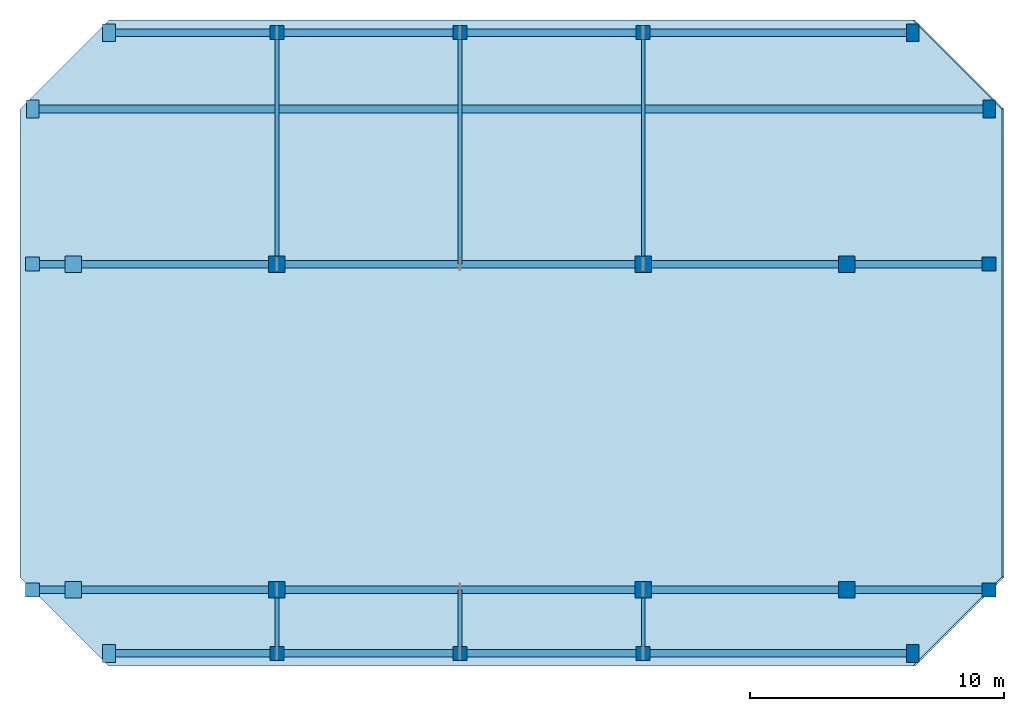
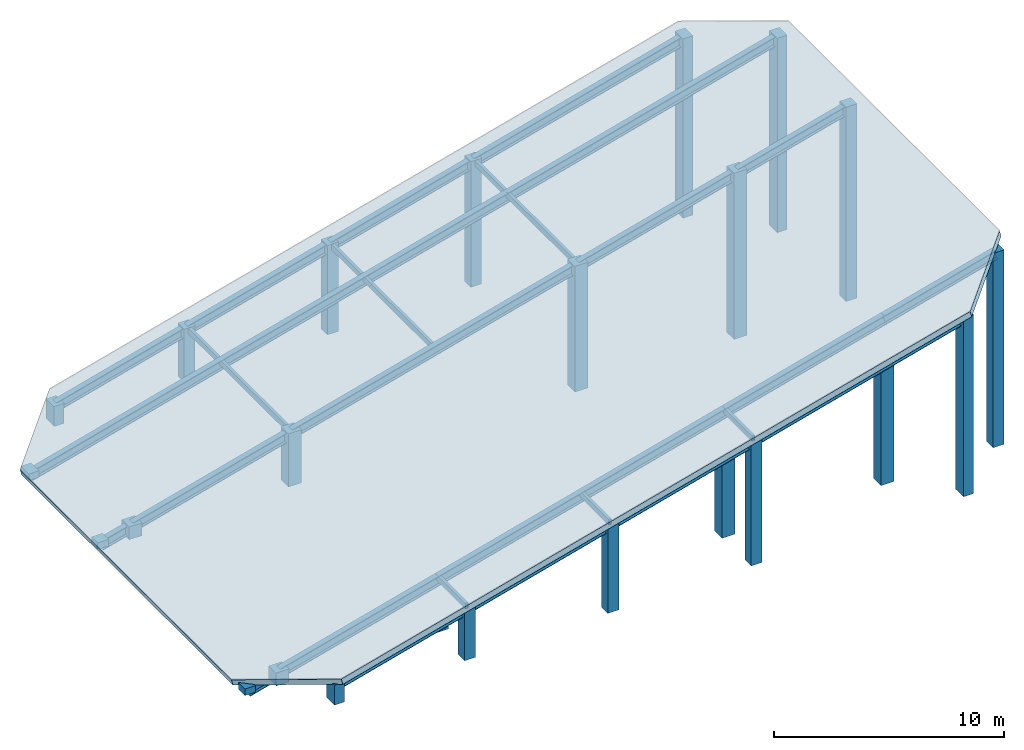
# One storey, part 1 of 3: 24 columns, 19 beams, 6 members, 1 slab.
"""IFC4 building model written with IfcOpenShell, lengths in metres."""

from ifc_helpers import new_model, si_unit, direction, frame, origin, origin_2d, place, context, subcontext, project, spatial, polyline, rectangle, hollow_rectangle, i_section, outline, extrude, material, layer, layer_set, material_profile, profile_set, type_object, element, save


model = new_model("IFC4")

# Units and contexts
model_context = context("Model", 3, precision=1e-05, world=origin(), true_north=direction((0.0, 1.0)))
body_context = subcontext(model_context, "Body", "Model", "MODEL_VIEW")
ifc_project = project(units=[si_unit("LENGTHUNIT", "METRE"), si_unit("AREAUNIT", "SQUARE_METRE"), si_unit("VOLUMEUNIT", "CUBIC_METRE"), si_unit("PLANEANGLEUNIT", "RADIAN"), si_unit("MASSUNIT", "GRAM", prefix="KILO")], contexts=[model_context])

# Site, building, storey
site_placement = place(None, origin())
site = spatial("IfcSite", under=ifc_project, at=site_placement, CompositionType="ELEMENT")
building_placement = place(site_placement, origin())
building = spatial("IfcBuilding", under=site, at=building_placement, Name="Kranthara Brick Stack", CompositionType="ELEMENT")
storey_placement = place(building_placement, frame((0.0, 0.0, 313.199951171875)))
storey = spatial("IfcBuildingStorey", under=building, at=storey_placement, Name="RF", CompositionType="ELEMENT", Elevation=313.199951171875)

# Columns
ifc_material_1 = material(Name="Concrete C45/55", Category="concrete")
ifc_material_profile_1 = material_profile(ifc_material_1, rectangle(XDim=0.5, YDim=0.699951171875, at=origin_2d()), Name="RC 500x700")
ifc_profile_set_1 = profile_set([ifc_material_profile_1], Name="Concrete C45/55")
column_type_1 = type_object("IfcColumnType", Name="COL-CHAM-500x700", PredefinedType="COLUMN", material=ifc_profile_set_1)
for number, where, z_axis, x_axis, name in (
    (1, (14.199951171875, 18.300048828125, 0.0), (0.0, 0.0, 1.0), (1.0, 0.0, 0.0), "RF Crown Column 09"),
    (2, (14.199951171875, 42.699951171875, 0.0), (0.0, 0.0, 1.0), (1.0, 0.0, 0.0), "RF Crown Column 10"),
):
    element("IfcColumn", number, at=place(storey_placement, frame(where, z_axis=z_axis, x_axis=x_axis)), inside=storey, type_object=column_type_1, Name=name, PredefinedType="COLUMN", context=body_context, shape_type="SweptSolid", body=[
        extrude(rectangle(XDim=0.5, YDim=0.699951171875, at=origin_2d()), origin(), (0.0, 0.0, 1.0), 1.056640625),
    ])
for number, where, z_axis, x_axis, name in (
    (3, (45.800048828125, 18.300048828125, 0.0), (0.0, 0.0, 1.0), (1.0, 0.0, 0.0), "RF Crown Column 17"),
    (4, (45.800048828125, 42.699951171875, 0.0), (0.0, 0.0, 1.0), (1.0, 0.0, 0.0), "RF Crown Column 18"),
):
    element("IfcColumn", number, at=place(storey_placement, frame(where, z_axis=z_axis, x_axis=x_axis)), inside=storey, type_object=column_type_1, Name=name, PredefinedType="COLUMN", context=body_context, shape_type="SweptSolid", body=[
        extrude(rectangle(XDim=0.5, YDim=0.699951171875, at=origin_2d()), origin(), (0.0, 0.0, 1.0), 9.523681640625),
    ])
column_1_placement = place(storey_placement, frame((11.199951171875, 39.699951171875, 0.0), z_axis=(0.0, 0.0, 1.0), x_axis=(1.0, 0.0, 0.0)))
element("IfcColumn", 5, at=column_1_placement, inside=storey, type_object=column_type_1, Name="RF Crown Column 23", PredefinedType="COLUMN", context=body_context, shape_type="SweptSolid", body=[
    extrude(rectangle(XDim=0.5, YDim=0.699951171875, at=origin_2d()), origin(), (0.0, 0.0, 1.0), 0.35009765625),
])
column_2_placement = place(storey_placement, frame((48.800048828125, 39.699951171875, 0.0), z_axis=(0.0, 0.0, 1.0), x_axis=(1.0, 0.0, 0.0)))
element("IfcColumn", 6, at=column_2_placement, inside=storey, type_object=column_type_1, Name="RF Crown Column 24", PredefinedType="COLUMN", context=body_context, shape_type="SweptSolid", body=[
    extrude(rectangle(XDim=0.5, YDim=0.699951171875, at=origin_2d()), origin(), (0.0, 0.0, 1.0), 10.32763671875),
])
ifc_material_2 = material(Name="Concrete C50/60", Category="concrete")
ifc_material_profile_2 = material_profile(ifc_material_2, rectangle(XDim=0.64990234375, YDim=0.64990234375, at=origin_2d()), Name="RC 650x650")
ifc_profile_set_2 = profile_set([ifc_material_profile_2], Name="Concrete C50/60")
column_type_2 = type_object("IfcColumnType", Name="COL-CORE-650", PredefinedType="COLUMN", material=ifc_profile_set_2)
column_3_placement = place(storey_placement, frame((12.800048828125, 20.800048828125, 0.0), z_axis=(0.0, 0.0, 1.0), x_axis=(1.0, 0.0, 0.0)))
element("IfcColumn", 7, at=column_3_placement, inside=storey, type_object=column_type_2, Name="RF Crown Column 01", PredefinedType="COLUMN", context=body_context, shape_type="SweptSolid", body=[
    extrude(rectangle(XDim=0.64990234375, YDim=0.64990234375, at=origin_2d()), origin(), (0.0, 0.0, 1.0), 0.681396484375),
])
column_4_placement = place(storey_placement, frame((20.800048828125, 20.800048828125, 0.0), z_axis=(0.0, 0.0, 1.0), x_axis=(1.0, 0.0, 0.0)))
element("IfcColumn", 8, at=column_4_placement, inside=storey, type_object=column_type_2, Name="RF Crown Column 02", PredefinedType="COLUMN", context=body_context, shape_type="SweptSolid", body=[
    extrude(rectangle(XDim=0.64990234375, YDim=0.64990234375, at=origin_2d()), origin(), (0.0, 0.0, 1.0), 2.824951171875),
])
column_5_placement = place(storey_placement, frame((12.800048828125, 33.60009765625, 0.0), z_axis=(0.0, 0.0, 1.0), x_axis=(1.0, 0.0, 0.0)))
element("IfcColumn", 9, at=column_5_placement, inside=storey, type_object=column_type_2, Name="RF Crown Column 03", PredefinedType="COLUMN", context=body_context, shape_type="SweptSolid", body=[
    extrude(rectangle(XDim=0.64990234375, YDim=0.64990234375, at=origin_2d()), origin(), (0.0, 0.0, 1.0), 0.681396484375),
])
column_6_placement = place(storey_placement, frame((20.800048828125, 33.60009765625, 0.0), z_axis=(0.0, 0.0, 1.0), x_axis=(1.0, 0.0, 0.0)))
element("IfcColumn", 10, at=column_6_placement, inside=storey, type_object=column_type_2, Name="RF Crown Column 04", PredefinedType="COLUMN", context=body_context, shape_type="SweptSolid", body=[
    extrude(rectangle(XDim=0.64990234375, YDim=0.64990234375, at=origin_2d()), origin(), (0.0, 0.0, 1.0), 2.824951171875),
])
column_7_placement = place(storey_placement, frame((35.199951171875, 20.800048828125, 0.0), z_axis=(0.0, 0.0, 1.0), x_axis=(1.0, 0.0, 0.0)))
element("IfcColumn", 11, at=column_7_placement, inside=storey, type_object=column_type_2, Name="RF Crown Column 05", PredefinedType="COLUMN", context=body_context, shape_type="SweptSolid", body=[
    extrude(rectangle(XDim=0.64990234375, YDim=0.64990234375, at=origin_2d()), origin(), (0.0, 0.0, 1.0), 6.683349609375),
])
column_8_placement = place(storey_placement, frame((43.199951171875, 20.800048828125, 0.0), z_axis=(0.0, 0.0, 1.0), x_axis=(1.0, 0.0, 0.0)))
element("IfcColumn", 12, at=column_8_placement, inside=storey, type_object=column_type_2, Name="RF Crown Column 06", PredefinedType="COLUMN", context=body_context, shape_type="SweptSolid", body=[
    extrude(rectangle(XDim=0.64990234375, YDim=0.64990234375, at=origin_2d()), origin(), (0.0, 0.0, 1.0), 8.8271484375),
])
column_9_placement = place(storey_placement, frame((35.199951171875, 33.60009765625, 0.0), z_axis=(0.0, 0.0, 1.0), x_axis=(1.0, 0.0, 0.0)))
element("IfcColumn", 13, at=column_9_placement, inside=storey, type_object=column_type_2, Name="RF Crown Column 07", PredefinedType="COLUMN", context=body_context, shape_type="SweptSolid", body=[
    extrude(rectangle(XDim=0.64990234375, YDim=0.64990234375, at=origin_2d()), origin(), (0.0, 0.0, 1.0), 6.683349609375),
])
column_10_placement = place(storey_placement, frame((43.199951171875, 33.60009765625, 0.0), z_axis=(0.0, 0.0, 1.0), x_axis=(1.0, 0.0, 0.0)))
element("IfcColumn", 14, at=column_10_placement, inside=storey, type_object=column_type_2, Name="RF Crown Column 08", PredefinedType="COLUMN", context=body_context, shape_type="SweptSolid", body=[
    extrude(rectangle(XDim=0.64990234375, YDim=0.64990234375, at=origin_2d()), origin(), (0.0, 0.0, 1.0), 8.8271484375),
])
ifc_material_3 = material(Name="Concrete C45/55", Category="concrete")
ifc_material_profile_3 = material_profile(ifc_material_3, rectangle(XDim=0.550048828125, YDim=0.550048828125, at=origin_2d()), Name="RC 550x550")
ifc_profile_set_3 = profile_set([ifc_material_profile_3], Name="Concrete C45/55")
column_type_3 = type_object("IfcColumnType", Name="COL-PER-550", PredefinedType="COLUMN", material=ifc_profile_set_3)
for number, where, z_axis, x_axis, name in (
    (15, (20.800048828125, 18.300048828125, 0.0), (0.0, 0.0, 1.0), (1.0, 0.0, 0.0), "RF Crown Column 11"),
    (16, (20.800048828125, 42.699951171875, 0.0), (0.0, 0.0, 1.0), (1.0, 0.0, 0.0), "RF Crown Column 12"),
):
    element("IfcColumn", number, at=place(storey_placement, frame(where, z_axis=z_axis, x_axis=x_axis)), inside=storey, type_object=column_type_3, Name=name, PredefinedType="COLUMN", context=body_context, shape_type="SweptSolid", body=[
        extrude(rectangle(XDim=0.550048828125, YDim=0.550048828125, at=origin_2d()), origin(), (0.0, 0.0, 1.0), 2.824951171875),
    ])
for number, where, z_axis, x_axis, name in (
    (17, (28.0, 18.300048828125, 0.0), (0.0, 0.0, 1.0), (1.0, 0.0, 0.0), "RF Crown Column 13"),
    (18, (28.0, 42.699951171875, 0.0), (0.0, 0.0, 1.0), (1.0, 0.0, 0.0), "RF Crown Column 14"),
):
    element("IfcColumn", number, at=place(storey_placement, frame(where, z_axis=z_axis, x_axis=x_axis)), inside=storey, type_object=column_type_3, Name=name, PredefinedType="COLUMN", context=body_context, shape_type="SweptSolid", body=[
        extrude(rectangle(XDim=0.550048828125, YDim=0.550048828125, at=origin_2d()), origin(), (0.0, 0.0, 1.0), 4.754150390625),
    ])
for number, where, z_axis, x_axis, name in (
    (19, (35.199951171875, 18.300048828125, 0.0), (0.0, 0.0, 1.0), (1.0, 0.0, 0.0), "RF Crown Column 15"),
    (20, (35.199951171875, 42.699951171875, 0.0), (0.0, 0.0, 1.0), (1.0, 0.0, 0.0), "RF Crown Column 16"),
):
    element("IfcColumn", number, at=place(storey_placement, frame(where, z_axis=z_axis, x_axis=x_axis)), inside=storey, type_object=column_type_3, Name=name, PredefinedType="COLUMN", context=body_context, shape_type="SweptSolid", body=[
        extrude(rectangle(XDim=0.550048828125, YDim=0.550048828125, at=origin_2d()), origin(), (0.0, 0.0, 1.0), 6.683349609375),
    ])
column_11_placement = place(storey_placement, frame((11.199951171875, 20.800048828125, 0.0), z_axis=(0.0, 0.0, 1.0), x_axis=(1.0, 0.0, 0.0)))
element("IfcColumn", 21, at=column_11_placement, inside=storey, type_object=column_type_3, Name="RF Crown Column 19", PredefinedType="COLUMN", context=body_context, shape_type="SweptSolid", body=[
    extrude(rectangle(XDim=0.550048828125, YDim=0.550048828125, at=origin_2d()), origin(), (0.0, 0.0, 1.0), 0.35009765625),
])
column_12_placement = place(storey_placement, frame((48.800048828125, 20.800048828125, 0.0), z_axis=(0.0, 0.0, 1.0), x_axis=(1.0, 0.0, 0.0)))
element("IfcColumn", 22, at=column_12_placement, inside=storey, type_object=column_type_3, Name="RF Crown Column 20", PredefinedType="COLUMN", context=body_context, shape_type="SweptSolid", body=[
    extrude(rectangle(XDim=0.550048828125, YDim=0.550048828125, at=origin_2d()), origin(), (0.0, 0.0, 1.0), 10.32763671875),
])
column_13_placement = place(storey_placement, frame((11.199951171875, 33.60009765625, 0.0), z_axis=(0.0, 0.0, 1.0), x_axis=(1.0, 0.0, 0.0)))
element("IfcColumn", 23, at=column_13_placement, inside=storey, type_object=column_type_3, Name="RF Crown Column 21", PredefinedType="COLUMN", context=body_context, shape_type="SweptSolid", body=[
    extrude(rectangle(XDim=0.550048828125, YDim=0.550048828125, at=origin_2d()), origin(), (0.0, 0.0, 1.0), 0.35009765625),
])
column_14_placement = place(storey_placement, frame((48.800048828125, 33.60009765625, 0.0), z_axis=(0.0, 0.0, 1.0), x_axis=(1.0, 0.0, 0.0)))
element("IfcColumn", 24, at=column_14_placement, inside=storey, type_object=column_type_3, Name="RF Crown Column 22", PredefinedType="COLUMN", context=body_context, shape_type="SweptSolid", body=[
    extrude(rectangle(XDim=0.550048828125, YDim=0.550048828125, at=origin_2d()), origin(), (0.0, 0.0, 1.0), 10.32763671875),
])

# Beams
ifc_material_4 = material(Name="Steel S355", Category="steel")
ifc_material_profile_4 = material_profile(ifc_material_4, i_section(OverallWidth=0.300048828125, OverallDepth=0.5, WebThickness=0.014404296875, FlangeThickness=0.028076171875, at=origin_2d()), Name="HEB 500")
ifc_profile_set_4 = profile_set([ifc_material_profile_4], Name="Steel S355")
beam_type = type_object("IfcBeamType", Name="BM-STL-HEB500", PredefinedType="BEAM", material=ifc_profile_set_4)
beam_1_placement = place(storey_placement, frame((14.199951171875, 18.300048828125, 0.806640625), z_axis=(0.965932422394, 0.0, 0.258794426848), x_axis=(0.0, 1.0, 0.0)))
element("IfcBeam", 25, at=beam_1_placement, inside=storey, type_object=beam_type, Name="RF Slanted Crown Roof Rafter 01", PredefinedType="BEAM", context=body_context, shape_type="SweptSolid", body=[
    extrude(i_section(OverallWidth=0.300048828125, OverallDepth=0.5, WebThickness=0.014404296875, FlangeThickness=0.028076171875, at=origin_2d()), origin(), (0.0, 0.0, 1.0), 6.832763671875),
])
for number, where, z_axis, x_axis, name in (
    (26, (20.800048828125, 18.300048828125, 2.574951171875), (0.965926560237, 0.0, 0.258816305957), (0.0, 1.0, 0.0), "RF Slanted Crown Roof Rafter 02"),
    (27, (28.0, 18.300048828125, 4.504150390625), (0.965926560237, 0.0, 0.258816305957), (0.0, 1.0, 0.0), "RF Slanted Crown Roof Rafter 03"),
):
    element("IfcBeam", number, at=place(storey_placement, frame(where, z_axis=z_axis, x_axis=x_axis)), inside=storey, type_object=beam_type, Name=name, PredefinedType="BEAM", context=body_context, shape_type="SweptSolid", body=[
        extrude(i_section(OverallWidth=0.300048828125, OverallDepth=0.5, WebThickness=0.014404296875, FlangeThickness=0.028076171875, at=origin_2d()), origin(), (0.0, 0.0, 1.0), 7.453857421875),
    ])
beam_2_placement = place(storey_placement, frame((35.199951171875, 18.300048828125, 6.433349609375), z_axis=(0.965924814244, 0.0, 0.258822822076), x_axis=(0.0, 1.0, 0.0)))
element("IfcBeam", 28, at=beam_2_placement, inside=storey, type_object=beam_type, Name="RF Slanted Crown Roof Rafter 04", PredefinedType="BEAM", context=body_context, shape_type="SweptSolid", body=[
    extrude(i_section(OverallWidth=0.300048828125, OverallDepth=0.5, WebThickness=0.014404296875, FlangeThickness=0.028076171875, at=origin_2d()), origin(), (0.0, 0.0, 1.0), 10.97412109375),
])
beam_3_placement = place(storey_placement, frame((11.199951171875, 20.800048828125, 0.002685546875), z_axis=(0.965930947833, 0.0, 0.258799930484), x_axis=(0.0, 1.0, 0.0)))
element("IfcBeam", 29, at=beam_3_placement, inside=storey, type_object=beam_type, Name="RF Slanted Crown Roof Rafter 05", PredefinedType="BEAM", context=body_context, shape_type="SweptSolid", body=[
    extrude(i_section(OverallWidth=0.300048828125, OverallDepth=0.5, WebThickness=0.014404296875, FlangeThickness=0.028076171875, at=origin_2d()), origin(), (0.0, 0.0, 1.0), 1.656494140625),
])
beam_4_placement = place(storey_placement, frame((12.800048828125, 20.800048828125, 0.431396484375), z_axis=(0.965926999034, 0.0, 0.25881466832), x_axis=(0.0, 1.0, 0.0)))
element("IfcBeam", 30, at=beam_4_placement, inside=storey, type_object=beam_type, Name="RF Slanted Crown Roof Rafter 06", PredefinedType="BEAM", context=body_context, shape_type="SweptSolid", body=[
    extrude(i_section(OverallWidth=0.300048828125, OverallDepth=0.5, WebThickness=0.014404296875, FlangeThickness=0.028076171875, at=origin_2d()), origin(), (0.0, 0.0, 1.0), 8.2822265625),
])
beam_5_placement = place(storey_placement, frame((20.800048828125, 20.800048828125, 2.574951171875), z_axis=(0.965926560237, 0.0, 0.258816305957), x_axis=(0.0, 1.0, 0.0)))
element("IfcBeam", 31, at=beam_5_placement, inside=storey, type_object=beam_type, Name="RF Slanted Crown Roof Rafter 07", PredefinedType="BEAM", context=body_context, shape_type="SweptSolid", body=[
    extrude(i_section(OverallWidth=0.300048828125, OverallDepth=0.5, WebThickness=0.014404296875, FlangeThickness=0.028076171875, at=origin_2d()), origin(), (0.0, 0.0, 1.0), 14.907958984375),
])
beam_6_placement = place(storey_placement, frame((35.199951171875, 20.800048828125, 6.433349609375), z_axis=(0.965919629376, 0.0, 0.25884217119), x_axis=(0.0, 1.0, 0.0)))
element("IfcBeam", 32, at=beam_6_placement, inside=storey, type_object=beam_type, Name="RF Slanted Crown Roof Rafter 08", PredefinedType="BEAM", context=body_context, shape_type="SweptSolid", body=[
    extrude(i_section(OverallWidth=0.300048828125, OverallDepth=0.5, WebThickness=0.014404296875, FlangeThickness=0.028076171875, at=origin_2d()), origin(), (0.0, 0.0, 1.0), 8.2822265625),
])
beam_7_placement = place(storey_placement, frame((43.199951171875, 20.800048828125, 8.5771484375), z_axis=(0.965928127331, 0.0, 0.258810457345), x_axis=(0.0, 1.0, 0.0)))
element("IfcBeam", 33, at=beam_7_placement, inside=storey, type_object=beam_type, Name="RF Slanted Crown Roof Rafter 09", PredefinedType="BEAM", context=body_context, shape_type="SweptSolid", body=[
    extrude(i_section(OverallWidth=0.300048828125, OverallDepth=0.5, WebThickness=0.014404296875, FlangeThickness=0.028076171875, at=origin_2d()), origin(), (0.0, 0.0, 1.0), 5.797607421875),
])
beam_8_placement = place(storey_placement, frame((11.199951171875, 33.60009765625, 0.002685546875), z_axis=(0.965930947833, 0.0, 0.258799930484), x_axis=(0.0, 1.0, 0.0)))
element("IfcBeam", 34, at=beam_8_placement, inside=storey, type_object=beam_type, Name="RF Slanted Crown Roof Rafter 10", PredefinedType="BEAM", context=body_context, shape_type="SweptSolid", body=[
    extrude(i_section(OverallWidth=0.300048828125, OverallDepth=0.5, WebThickness=0.014404296875, FlangeThickness=0.028076171875, at=origin_2d()), origin(), (0.0, 0.0, 1.0), 1.656494140625),
])
beam_9_placement = place(storey_placement, frame((12.800048828125, 33.60009765625, 0.431396484375), z_axis=(0.965926999034, 0.0, 0.25881466832), x_axis=(0.0, 1.0, 0.0)))
element("IfcBeam", 35, at=beam_9_placement, inside=storey, type_object=beam_type, Name="RF Slanted Crown Roof Rafter 11", PredefinedType="BEAM", context=body_context, shape_type="SweptSolid", body=[
    extrude(i_section(OverallWidth=0.300048828125, OverallDepth=0.5, WebThickness=0.014404296875, FlangeThickness=0.028076171875, at=origin_2d()), origin(), (0.0, 0.0, 1.0), 8.2822265625),
])
beam_10_placement = place(storey_placement, frame((20.800048828125, 33.60009765625, 2.574951171875), z_axis=(0.965926560237, 0.0, 0.258816305957), x_axis=(0.0, 1.0, 0.0)))
element("IfcBeam", 36, at=beam_10_placement, inside=storey, type_object=beam_type, Name="RF Slanted Crown Roof Rafter 12", PredefinedType="BEAM", context=body_context, shape_type="SweptSolid", body=[
    extrude(i_section(OverallWidth=0.300048828125, OverallDepth=0.5, WebThickness=0.014404296875, FlangeThickness=0.028076171875, at=origin_2d()), origin(), (0.0, 0.0, 1.0), 14.907958984375),
])
beam_11_placement = place(storey_placement, frame((35.199951171875, 33.60009765625, 6.433349609375), z_axis=(0.965919629376, 0.0, 0.25884217119), x_axis=(0.0, 1.0, 0.0)))
element("IfcBeam", 37, at=beam_11_placement, inside=storey, type_object=beam_type, Name="RF Slanted Crown Roof Rafter 13", PredefinedType="BEAM", context=body_context, shape_type="SweptSolid", body=[
    extrude(i_section(OverallWidth=0.300048828125, OverallDepth=0.5, WebThickness=0.014404296875, FlangeThickness=0.028076171875, at=origin_2d()), origin(), (0.0, 0.0, 1.0), 8.2822265625),
])
beam_12_placement = place(storey_placement, frame((43.199951171875, 33.60009765625, 8.5771484375), z_axis=(0.965928127331, 0.0, 0.258810457345), x_axis=(0.0, 1.0, 0.0)))
element("IfcBeam", 38, at=beam_12_placement, inside=storey, type_object=beam_type, Name="RF Slanted Crown Roof Rafter 14", PredefinedType="BEAM", context=body_context, shape_type="SweptSolid", body=[
    extrude(i_section(OverallWidth=0.300048828125, OverallDepth=0.5, WebThickness=0.014404296875, FlangeThickness=0.028076171875, at=origin_2d()), origin(), (0.0, 0.0, 1.0), 5.797607421875),
])
beam_13_placement = place(storey_placement, frame((11.199951171875, 39.699951171875, 0.002685546875), z_axis=(0.965925599133, 0.0, 0.25881989286), x_axis=(0.0, 1.0, 0.0)))
element("IfcBeam", 39, at=beam_13_placement, inside=storey, type_object=beam_type, Name="RF Slanted Crown Roof Rafter 15", PredefinedType="BEAM", context=body_context, shape_type="SweptSolid", body=[
    extrude(i_section(OverallWidth=0.300048828125, OverallDepth=0.5, WebThickness=0.014404296875, FlangeThickness=0.028076171875, at=origin_2d()), origin(), (0.0, 0.0, 1.0), 38.926513671875),
])
beam_14_placement = place(storey_placement, frame((14.199951171875, 42.699951171875, 0.806640625), z_axis=(0.965932422394, 0.0, 0.258794426848), x_axis=(0.0, 1.0, 0.0)))
element("IfcBeam", 40, at=beam_14_placement, inside=storey, type_object=beam_type, Name="RF Slanted Crown Roof Rafter 16", PredefinedType="BEAM", context=body_context, shape_type="SweptSolid", body=[
    extrude(i_section(OverallWidth=0.300048828125, OverallDepth=0.5, WebThickness=0.014404296875, FlangeThickness=0.028076171875, at=origin_2d()), origin(), (0.0, 0.0, 1.0), 6.832763671875),
])
for number, where, z_axis, x_axis, name in (
    (41, (20.800048828125, 42.699951171875, 2.574951171875), (0.965926560237, 0.0, 0.258816305957), (0.0, 1.0, 0.0), "RF Slanted Crown Roof Rafter 17"),
    (42, (28.0, 42.699951171875, 4.504150390625), (0.965926560237, 0.0, 0.258816305957), (0.0, 1.0, 0.0), "RF Slanted Crown Roof Rafter 18"),
):
    element("IfcBeam", number, at=place(storey_placement, frame(where, z_axis=z_axis, x_axis=x_axis)), inside=storey, type_object=beam_type, Name=name, PredefinedType="BEAM", context=body_context, shape_type="SweptSolid", body=[
        extrude(i_section(OverallWidth=0.300048828125, OverallDepth=0.5, WebThickness=0.014404296875, FlangeThickness=0.028076171875, at=origin_2d()), origin(), (0.0, 0.0, 1.0), 7.453857421875),
    ])
beam_15_placement = place(storey_placement, frame((35.199951171875, 42.699951171875, 6.433349609375), z_axis=(0.965924814244, 0.0, 0.258822822076), x_axis=(0.0, 1.0, 0.0)))
element("IfcBeam", 43, at=beam_15_placement, inside=storey, type_object=beam_type, Name="RF Slanted Crown Roof Rafter 19", PredefinedType="BEAM", context=body_context, shape_type="SweptSolid", body=[
    extrude(i_section(OverallWidth=0.300048828125, OverallDepth=0.5, WebThickness=0.014404296875, FlangeThickness=0.028076171875, at=origin_2d()), origin(), (0.0, 0.0, 1.0), 10.97412109375),
])

# Members
ifc_material_5 = material(Name="Steel S355", Category="steel")
ifc_material_profile_5 = material_profile(ifc_material_5, hollow_rectangle(XDim=0.14990234375, YDim=0.300048828125, WallThickness=0.012451171875, at=origin_2d()), Name="RHS 150x300x12.5")
ifc_profile_set_5 = profile_set([ifc_material_profile_5], Name="Steel S355")
member_type = type_object("IfcMemberType", Name="MB-PRL-RHS300", PredefinedType="PURLIN", material=ifc_profile_set_5)
member_1_placement = place(storey_placement, frame((20.800048828125, 18.300048828125, 2.6650390625), z_axis=(0.0, 1.0, 0.0), x_axis=(-1.0, 0.0, 0.0)))
element("IfcMember", 44, at=member_1_placement, inside=storey, type_object=member_type, Name="RF Slanted Crown South Purlin 01", PredefinedType="PURLIN", context=body_context, shape_type="SweptSolid", body=[
    extrude(hollow_rectangle(XDim=0.14990234375, YDim=0.300048828125, WallThickness=0.012451171875, at=origin_2d()), origin(), (0.0, 0.0, 1.0), 2.5),
])
member_2_placement = place(storey_placement, frame((20.800048828125, 33.60009765625, 2.6650390625), z_axis=(0.0, 1.0, 0.0), x_axis=(-1.0, 0.0, 0.0)))
element("IfcMember", 45, at=member_2_placement, inside=storey, type_object=member_type, Name="RF Slanted Crown North Purlin 01", PredefinedType="PURLIN", context=body_context, shape_type="SweptSolid", body=[
    extrude(hollow_rectangle(XDim=0.14990234375, YDim=0.300048828125, WallThickness=0.012451171875, at=origin_2d()), origin(), (0.0, 0.0, 1.0), 9.099853515625),
])
member_3_placement = place(storey_placement, frame((28.0, 18.300048828125, 4.59423828125), z_axis=(0.0, 1.0, 0.0), x_axis=(-1.0, 0.0, 0.0)))
element("IfcMember", 46, at=member_3_placement, inside=storey, type_object=member_type, Name="RF Slanted Crown South Purlin 02", PredefinedType="PURLIN", context=body_context, shape_type="SweptSolid", body=[
    extrude(hollow_rectangle(XDim=0.14990234375, YDim=0.300048828125, WallThickness=0.012451171875, at=origin_2d()), origin(), (0.0, 0.0, 1.0), 2.5),
])
member_4_placement = place(storey_placement, frame((28.0, 33.60009765625, 4.59423828125), z_axis=(0.0, 1.0, 0.0), x_axis=(-1.0, 0.0, 0.0)))
element("IfcMember", 47, at=member_4_placement, inside=storey, type_object=member_type, Name="RF Slanted Crown North Purlin 02", PredefinedType="PURLIN", context=body_context, shape_type="SweptSolid", body=[
    extrude(hollow_rectangle(XDim=0.14990234375, YDim=0.300048828125, WallThickness=0.012451171875, at=origin_2d()), origin(), (0.0, 0.0, 1.0), 9.099853515625),
])
member_5_placement = place(storey_placement, frame((35.199951171875, 18.300048828125, 6.5234375), z_axis=(0.0, 1.0, 0.0), x_axis=(-1.0, 0.0, 0.0)))
element("IfcMember", 48, at=member_5_placement, inside=storey, type_object=member_type, Name="RF Slanted Crown South Purlin 03", PredefinedType="PURLIN", context=body_context, shape_type="SweptSolid", body=[
    extrude(hollow_rectangle(XDim=0.14990234375, YDim=0.300048828125, WallThickness=0.012451171875, at=origin_2d()), origin(), (0.0, 0.0, 1.0), 2.5),
])
member_6_placement = place(storey_placement, frame((35.199951171875, 33.60009765625, 6.5234375), z_axis=(0.0, 1.0, 0.0), x_axis=(-1.0, 0.0, 0.0)))
element("IfcMember", 49, at=member_6_placement, inside=storey, type_object=member_type, Name="RF Slanted Crown North Purlin 03", PredefinedType="PURLIN", context=body_context, shape_type="SweptSolid", body=[
    extrude(hollow_rectangle(XDim=0.14990234375, YDim=0.300048828125, WallThickness=0.012451171875, at=origin_2d()), origin(), (0.0, 0.0, 1.0), 9.099853515625),
])

# Slab
ifc_material_6 = material(Name="Concrete C45/55", Category="concrete")
ifc_layer = layer(ifc_material_6, 0.320068359375)
ifc_layer_set = layer_set([ifc_layer], Name="Concrete C45/55")
slab_type = type_object("IfcSlabType", Name="SLB-CROWN-320", PredefinedType="ROOF", material=ifc_layer_set)
slab_placement = place(storey_placement, frame((14.199951171875, 17.800048828125, 1.387939453125), z_axis=(-0.258821602666, 0.0, 0.965925140988), x_axis=(0.965925140988, 0.0, 0.258821602666)))
element("IfcSlab", 50, at=slab_placement, inside=storey, type_object=slab_type, Name="RF Slanted Cut Crown Roof Slab", PredefinedType="ROOF", context=body_context, shape_type="SweptSolid", body=[
    extrude(outline(polyline([(0.0, 0.0), (32.71478190936237, 0.0), (36.338291533056726, 3.5), (36.338291533056726, 21.89990234375), (32.71478190936237, 25.39990234375), (0.0, 25.39990234375), (-3.6235096236943485, 21.89990234375), (-3.6235096236943485, 3.5), (0.0, 0.0)])), origin(), (0.0, 0.0, -1.0), 0.320068359375),
])

save(model, "model.ifc")
